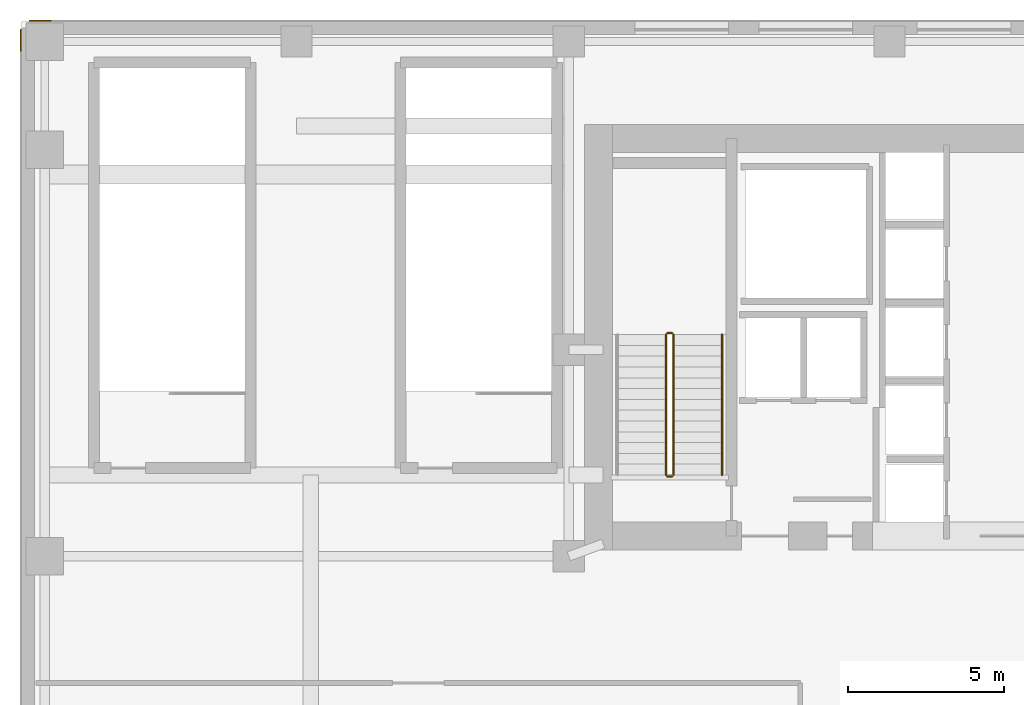
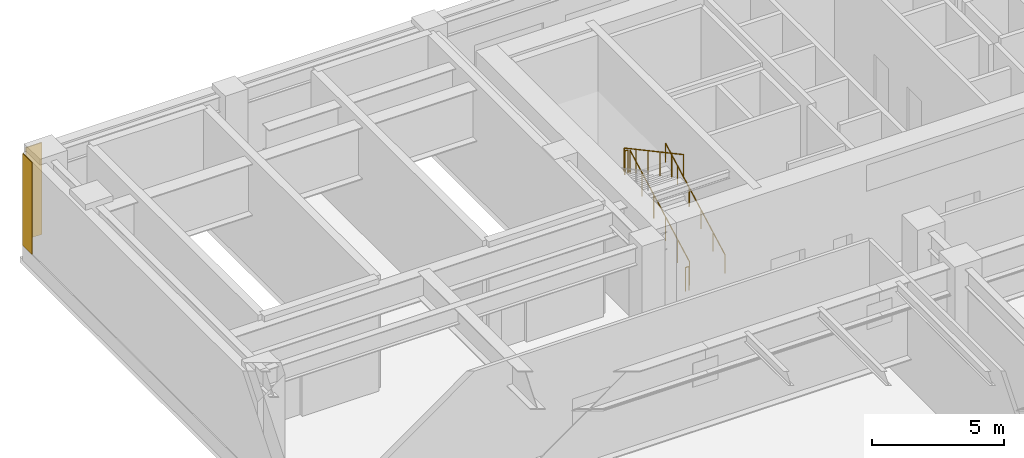
# One storey, part 11 of 14: 5 railings, 2 coverings.
"""IFC4 building model written with IfcOpenShell, lengths in metres."""

from ifc_helpers import new_model, si_unit, direction, frame, origin, origin_2d, place, context, subcontext, project, spatial, polyline, circle, outline, extrude, material, layer, layer_set, type_object, element, save


model = new_model("IFC4")

# Units and contexts
model_context = context("Model", 3, precision=1e-05, world=origin(), true_north=direction((0.0, 1.0)))
body_context = subcontext(model_context, "Body", "Model", "MODEL_VIEW")
ifc_project = project(units=[si_unit("LENGTHUNIT", "METRE"), si_unit("AREAUNIT", "SQUARE_METRE"), si_unit("VOLUMEUNIT", "CUBIC_METRE"), si_unit("PLANEANGLEUNIT", "RADIAN"), si_unit("MASSUNIT", "GRAM", prefix="KILO")], contexts=[model_context])

# Site, building, storey
site_placement = place(None, origin())
site = spatial("IfcSite", under=ifc_project, at=site_placement, CompositionType="ELEMENT")
building_placement = place(site_placement, origin())
building = spatial("IfcBuilding", under=site, at=building_placement, Name="Tolvann Quenvar Hotel", CompositionType="ELEMENT")
storey_placement = place(building_placement, frame((0.0, 0.0, 26.800048828125)))
storey = spatial("IfcBuildingStorey", under=building, at=storey_placement, Name="L05", CompositionType="ELEMENT", Elevation=26.800048828125)

# Coverings
ifc_material_1 = material(Name="Kiln-fired red architectural face brick cladding", Category="masonry")
ifc_layer = layer(ifc_material_1, 0.0400390625)
ifc_layer_set = layer_set([ifc_layer], Name="Kiln-fired red architectural face brick cladding")
covering_type = type_object("IfcCoveringType", Name="COV_CLAD_BRICK_40", PredefinedType="CLADDING", material=ifc_layer_set)
covering_1_placement = place(storey_placement, frame((0.0, 0.0, 0.699951171875)))
element("IfcCovering", 1, at=covering_1_placement, inside=storey, type_object=covering_type, Name="Brick Pier Cladding (L05-E04-P2)", PredefinedType="CLADDING", context=body_context, shape_type="SweptSolid", body=[
    extrude(outline(polyline([(-7.43994140625, 48.5), (-8.139892578125, 48.5), (-8.139892578125, 48.5400390625), (-7.43994140625, 48.5400390625), (-7.43994140625, 48.5)])), origin(), (0.0, 0.0, 1.0), 4.239990234375),
])
covering_2_placement = place(storey_placement, frame((0.0, 0.0, 0.699951171875)))
element("IfcCovering", 2, at=covering_2_placement, inside=storey, type_object=covering_type, Name="Brick Pier Cladding (L05-E05-P1)", PredefinedType="CLADDING", context=body_context, shape_type="SweptSolid", body=[
    extrude(outline(polyline([(-8.39990234375, 48.239990234375), (-8.39990234375, 47.5400390625), (-8.43994140625, 47.5400390625), (-8.43994140625, 48.239990234375), (-8.39990234375, 48.239990234375)])), origin(), (0.0, 0.0, 1.0), 4.239990234375),
])

# Railings
ifc_material_2 = material(Name="Brushed 316 stainless steel balustrade and handrail", Category="steel")
railing_type_1 = type_object("IfcRailingType", Name="GUARDRAIL", PredefinedType="GUARDRAIL", material=ifc_material_2)
railing_1_placement = place(storey_placement, frame((12.449951171875, 34.0, 0.185546875)))
element("IfcRailing", 3, at=railing_1_placement, inside=storey, type_object=railing_type_1, Name="L05 ST-C1 stair guard 1", PredefinedType="GUARDRAIL", context=body_context, shape_type="SweptSolid", body=[
    extrude(circle(Radius=0.02392578125, at=origin_2d()), frame((0.0, 0.0, 1.09619140625), z_axis=(0.0, 0.88053265471, 0.473985489218), x_axis=(-1.0, 0.0, 0.0)), (0.0, 0.0, 1.0), 5.09375),
    extrude(circle(Radius=0.02099609375, at=origin_2d()), origin(), (0.0, 0.0, 1.0), 1.072021484375),
    extrude(circle(Radius=0.02099609375, at=origin_2d()), frame((0.0, 0.89697265625, 0.48291015625)), (0.0, 0.0, 1.0), 1.072021484375),
    extrude(circle(Radius=0.02099609375, at=origin_2d()), frame((0.0, 1.7939453125, 0.9658203125)), (0.0, 0.0, 1.0), 1.072021484375),
    extrude(circle(Radius=0.02099609375, at=origin_2d()), frame((0.0, 2.691162109375, 1.448486328125)), (0.0, 0.0, 1.0), 1.072021484375),
    extrude(circle(Radius=0.02099609375, at=origin_2d()), frame((0.0, 3.588134765625, 1.931396484375)), (0.0, 0.0, 1.0), 1.072021484375),
    extrude(circle(Radius=0.02099609375, at=origin_2d()), frame((0.0, 4.485107421875, 2.414306640625)), (0.0, 0.0, 1.0), 1.072021484375),
])
railing_2_placement = place(storey_placement, frame((12.39990234375, 38.534912109375, 2.599853515625)))
element("IfcRailing", 4, at=railing_2_placement, inside=storey, type_object=railing_type_1, Name="L05 ST-C1 stair guard 2", PredefinedType="GUARDRAIL", context=body_context, shape_type="SweptSolid", body=[
    extrude(circle(Radius=0.02392578125, at=origin_2d()), frame((0.0, 0.0, 1.09619140625), z_axis=(-1.0, 0.0, 0.0), x_axis=(0.0, -1.0, 0.0)), (0.0, 0.0, 1.0), 0.14990234375),
    extrude(circle(Radius=0.02099609375, at=origin_2d()), origin(), (0.0, 0.0, 1.0), 1.072021484375),
    extrude(circle(Radius=0.02099609375, at=origin_2d()), frame((-0.14990234375, 0.0, 0.0)), (0.0, 0.0, 1.0), 1.072021484375),
])
railing_3_placement = place(storey_placement, frame((12.199951171875, 38.485107421875, 2.78564453125)))
element("IfcRailing", 5, at=railing_3_placement, inside=storey, type_object=railing_type_1, Name="L05 ST-C1 stair guard 3", PredefinedType="GUARDRAIL", context=body_context, shape_type="SweptSolid", body=[
    extrude(circle(Radius=0.02392578125, at=origin_2d()), frame((0.0, 0.0, 1.09619140625), z_axis=(0.0, -0.88053265471, 0.473985489218), x_axis=(1.0, 0.0, 0.0)), (0.0, 0.0, 1.0), 5.09375),
    extrude(circle(Radius=0.02099609375, at=origin_2d()), origin(), (0.0, 0.0, 1.0), 1.072021484375),
    extrude(circle(Radius=0.02099609375, at=origin_2d()), frame((0.0, -0.89697265625, 0.48291015625)), (0.0, 0.0, 1.0), 1.072021484375),
    extrude(circle(Radius=0.02099609375, at=origin_2d()), frame((0.0, -1.7939453125, 0.9658203125)), (0.0, 0.0, 1.0), 1.072021484375),
    extrude(circle(Radius=0.02099609375, at=origin_2d()), frame((0.0, -2.691162109375, 1.448486328125)), (0.0, 0.0, 1.0), 1.072021484375),
    extrude(circle(Radius=0.02099609375, at=origin_2d()), frame((0.0, -3.588134765625, 1.931396484375)), (0.0, 0.0, 1.0), 1.072021484375),
    extrude(circle(Radius=0.02099609375, at=origin_2d()), frame((0.0, -4.485107421875, 2.414306640625)), (0.0, 0.0, 1.0), 1.072021484375),
])
railing_4_placement = place(storey_placement, frame((12.39990234375, 33.949951171875, 0.0)))
element("IfcRailing", 6, at=railing_4_placement, inside=storey, type_object=railing_type_1, Name="L05 ST-C1 stair guard 4", PredefinedType="GUARDRAIL", context=body_context, shape_type="SweptSolid", body=[
    extrude(circle(Radius=0.02392578125, at=origin_2d()), frame((0.0, 0.0, 1.09619140625), z_axis=(-1.0, 0.0, 0.0), x_axis=(0.0, -1.0, 0.0)), (0.0, 0.0, 1.0), 0.14990234375),
    extrude(circle(Radius=0.02099609375, at=origin_2d()), origin(), (0.0, 0.0, 1.0), 1.072021484375),
    extrude(circle(Radius=0.02099609375, at=origin_2d()), frame((-0.14990234375, 0.0, 0.0)), (0.0, 0.0, 1.0), 1.072021484375),
])
railing_type_2 = type_object("IfcRailingType", Name="HANDRAIL", PredefinedType="HANDRAIL", material=ifc_material_2)
railing_5_placement = place(storey_placement, frame((14.0, 34.0, 0.185546875)))
element("IfcRailing", 7, at=railing_5_placement, inside=storey, type_object=railing_type_2, Name="L05 ST-C1 stair handrail 1", PredefinedType="HANDRAIL", context=body_context, shape_type="SweptSolid", body=[
    extrude(circle(Radius=0.02392578125, at=origin_2d()), frame((0.0, 0.0, 0.8759765625), z_axis=(0.0, 0.88053265471, 0.473985489218), x_axis=(-1.0, 0.0, 0.0)), (0.0, 0.0, 1.0), 5.09375),
    extrude(circle(Radius=0.02099609375, at=origin_2d()), origin(), (0.0, 0.0, 1.0), 0.851806640625),
    extrude(circle(Radius=0.02099609375, at=origin_2d()), frame((0.0, 0.89697265625, 0.48291015625)), (0.0, 0.0, 1.0), 0.851806640625),
    extrude(circle(Radius=0.02099609375, at=origin_2d()), frame((0.0, 1.7939453125, 0.9658203125)), (0.0, 0.0, 1.0), 0.851806640625),
    extrude(circle(Radius=0.02099609375, at=origin_2d()), frame((0.0, 2.691162109375, 1.448486328125)), (0.0, 0.0, 1.0), 0.851806640625),
    extrude(circle(Radius=0.02099609375, at=origin_2d()), frame((0.0, 3.588134765625, 1.931396484375)), (0.0, 0.0, 1.0), 0.851806640625),
    extrude(circle(Radius=0.02099609375, at=origin_2d()), frame((0.0, 4.485107421875, 2.414306640625)), (0.0, 0.0, 1.0), 0.851806640625),
])

save(model, "model.ifc")
